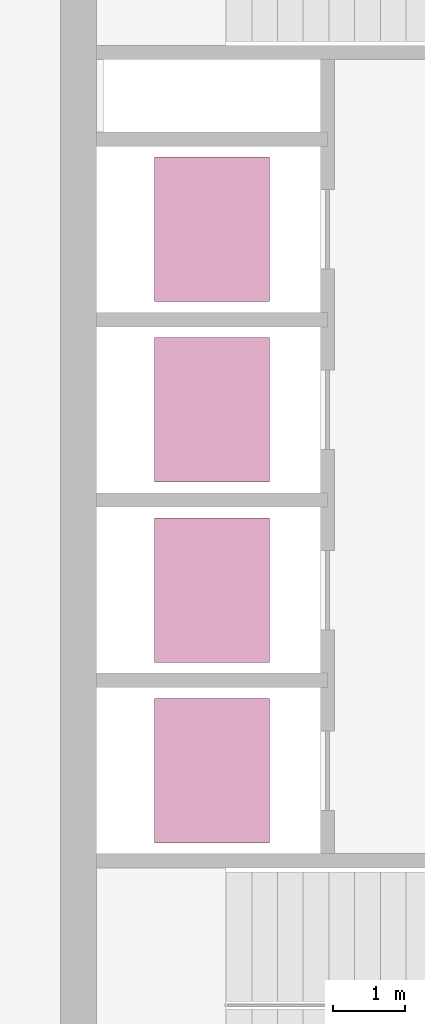
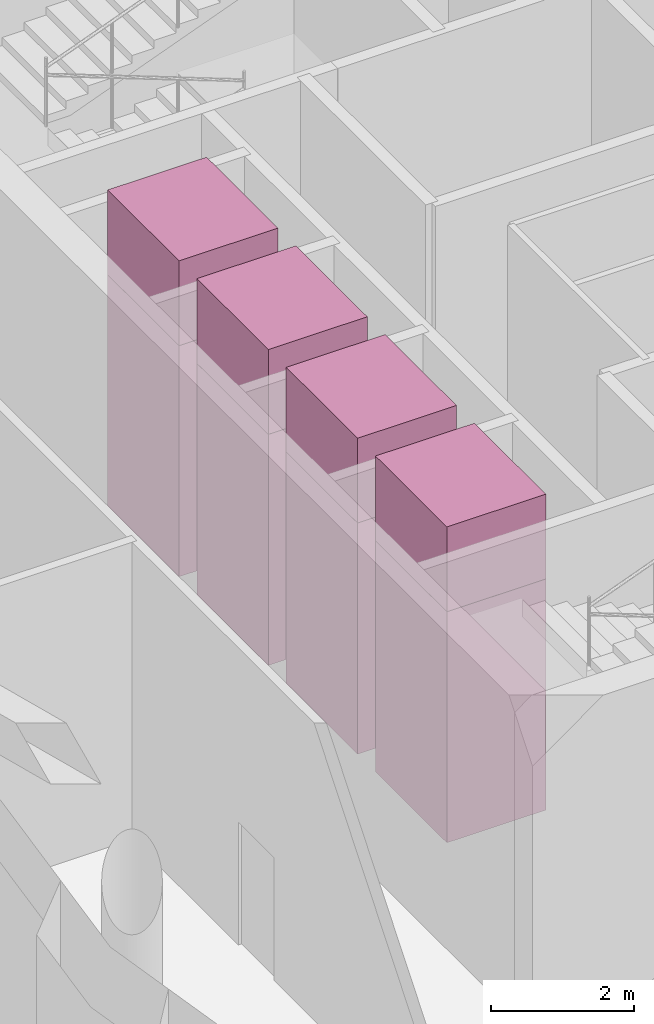
# One storey, part 9 of 9: 8 transport elements.
"""IFC4 building model written with IfcOpenShell, lengths in metres."""

from ifc_helpers import new_model, si_unit, direction, frame, origin, origin_2d, place, context, subcontext, project, spatial, rectangle, extrude, material, type_object, element, save


model = new_model("IFC4")

# Units and contexts
model_context = context("Model", 3, precision=1e-05, world=origin(), true_north=direction((0.0, 1.0)))
body_context = subcontext(model_context, "Body", "Model", "MODEL_VIEW")
ifc_project = project(units=[si_unit("LENGTHUNIT", "METRE"), si_unit("AREAUNIT", "SQUARE_METRE"), si_unit("VOLUMEUNIT", "CUBIC_METRE"), si_unit("PLANEANGLEUNIT", "RADIAN"), si_unit("MASSUNIT", "GRAM", prefix="KILO")], contexts=[model_context])

# Site, building, storey
site_placement = place(None, origin())
site = spatial("IfcSite", under=ifc_project, at=site_placement, CompositionType="ELEMENT")
building_placement = place(site_placement, origin())
building = spatial("IfcBuilding", under=site, at=building_placement, Name="Qaws Garden Tower", CompositionType="ELEMENT")
storey_placement = place(building_placement, frame((0.0, 0.0, 246.0)))
storey = spatial("IfcBuildingStorey", under=building, at=storey_placement, Name="L59", CompositionType="ELEMENT", Elevation=246.0)

# Transport elements
ifc_material = material(Name="Stainless steel 316", Category="steel")
transport_element_type = type_object("IfcTransportElementType", Name="Passenger lift car 2000x1600 1800 kg", PredefinedType="ELEVATOR", material=ifc_material)
transport_element_1_placement = place(storey_placement, frame((10.10009765625, 13.64990234375, 0.0), z_axis=(0.0, 0.0, 1.0), x_axis=(1.0, 0.0, 0.0)))
element("IfcTransportElement", 1, at=transport_element_1_placement, inside=storey, type_object=transport_element_type, Name="HR1", PredefinedType="ELEVATOR", context=body_context, shape_type="SweptSolid", body=[
    extrude(rectangle(XDim=1.60009765625, YDim=2.0, at=origin_2d()), origin(), (0.0, 0.0, 1.0), 3.949951171875),
])
transport_element_2_placement = place(storey_placement, frame((10.10009765625, 13.64990234375, 3.9501953125), z_axis=(0.0, 0.0, 1.0), x_axis=(1.0, 0.0, 0.0)))
element("IfcTransportElement", 2, at=transport_element_2_placement, inside=storey, type_object=transport_element_type, Name="HR1", PredefinedType="ELEVATOR", context=body_context, shape_type="SweptSolid", body=[
    extrude(rectangle(XDim=1.60009765625, YDim=2.0, at=origin_2d()), origin(), (0.0, 0.0, 1.0), 1.449951171875),
])
transport_element_3_placement = place(storey_placement, frame((10.10009765625, 16.14990234375, 0.0), z_axis=(0.0, 0.0, 1.0), x_axis=(1.0, 0.0, 0.0)))
element("IfcTransportElement", 3, at=transport_element_3_placement, inside=storey, type_object=transport_element_type, Name="HR2", PredefinedType="ELEVATOR", context=body_context, shape_type="SweptSolid", body=[
    extrude(rectangle(XDim=1.60009765625, YDim=2.0, at=origin_2d()), origin(), (0.0, 0.0, 1.0), 3.949951171875),
])
transport_element_4_placement = place(storey_placement, frame((10.10009765625, 16.14990234375, 3.9501953125), z_axis=(0.0, 0.0, 1.0), x_axis=(1.0, 0.0, 0.0)))
element("IfcTransportElement", 4, at=transport_element_4_placement, inside=storey, type_object=transport_element_type, Name="HR2", PredefinedType="ELEVATOR", context=body_context, shape_type="SweptSolid", body=[
    extrude(rectangle(XDim=1.60009765625, YDim=2.0, at=origin_2d()), origin(), (0.0, 0.0, 1.0), 1.449951171875),
])
transport_element_5_placement = place(storey_placement, frame((10.10009765625, 18.64990234375, 0.0), z_axis=(0.0, 0.0, 1.0), x_axis=(1.0, 0.0, 0.0)))
element("IfcTransportElement", 5, at=transport_element_5_placement, inside=storey, type_object=transport_element_type, Name="HR3", PredefinedType="ELEVATOR", context=body_context, shape_type="SweptSolid", body=[
    extrude(rectangle(XDim=1.60009765625, YDim=2.0, at=origin_2d()), origin(), (0.0, 0.0, 1.0), 3.949951171875),
])
transport_element_6_placement = place(storey_placement, frame((10.10009765625, 18.64990234375, 3.9501953125), z_axis=(0.0, 0.0, 1.0), x_axis=(1.0, 0.0, 0.0)))
element("IfcTransportElement", 6, at=transport_element_6_placement, inside=storey, type_object=transport_element_type, Name="HR3", PredefinedType="ELEVATOR", context=body_context, shape_type="SweptSolid", body=[
    extrude(rectangle(XDim=1.60009765625, YDim=2.0, at=origin_2d()), origin(), (0.0, 0.0, 1.0), 1.449951171875),
])
transport_element_7_placement = place(storey_placement, frame((10.10009765625, 21.14990234375, 0.0), z_axis=(0.0, 0.0, 1.0), x_axis=(1.0, 0.0, 0.0)))
element("IfcTransportElement", 7, at=transport_element_7_placement, inside=storey, type_object=transport_element_type, Name="HR4", PredefinedType="ELEVATOR", context=body_context, shape_type="SweptSolid", body=[
    extrude(rectangle(XDim=1.60009765625, YDim=2.0, at=origin_2d()), origin(), (0.0, 0.0, 1.0), 3.949951171875),
])
transport_element_8_placement = place(storey_placement, frame((10.10009765625, 21.14990234375, 3.9501953125), z_axis=(0.0, 0.0, 1.0), x_axis=(1.0, 0.0, 0.0)))
element("IfcTransportElement", 8, at=transport_element_8_placement, inside=storey, type_object=transport_element_type, Name="HR4", PredefinedType="ELEVATOR", context=body_context, shape_type="SweptSolid", body=[
    extrude(rectangle(XDim=1.60009765625, YDim=2.0, at=origin_2d()), origin(), (0.0, 0.0, 1.0), 1.449951171875),
])

save(model, "model.ifc")
